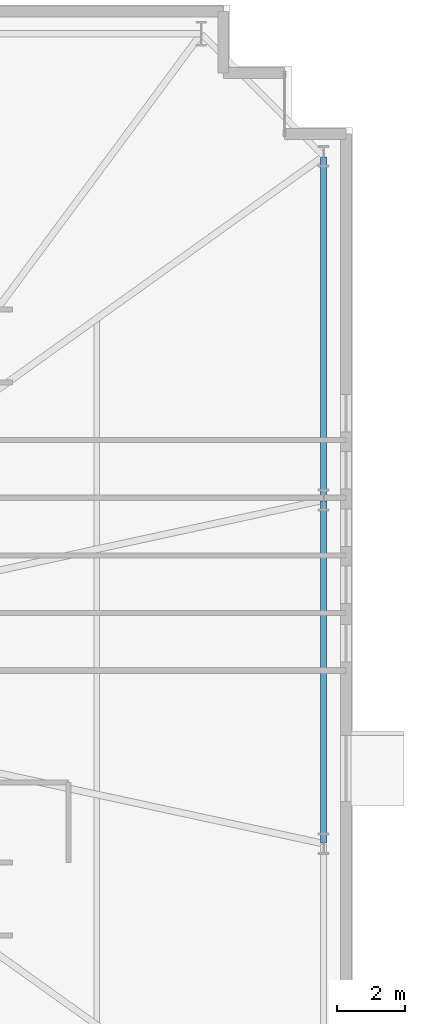
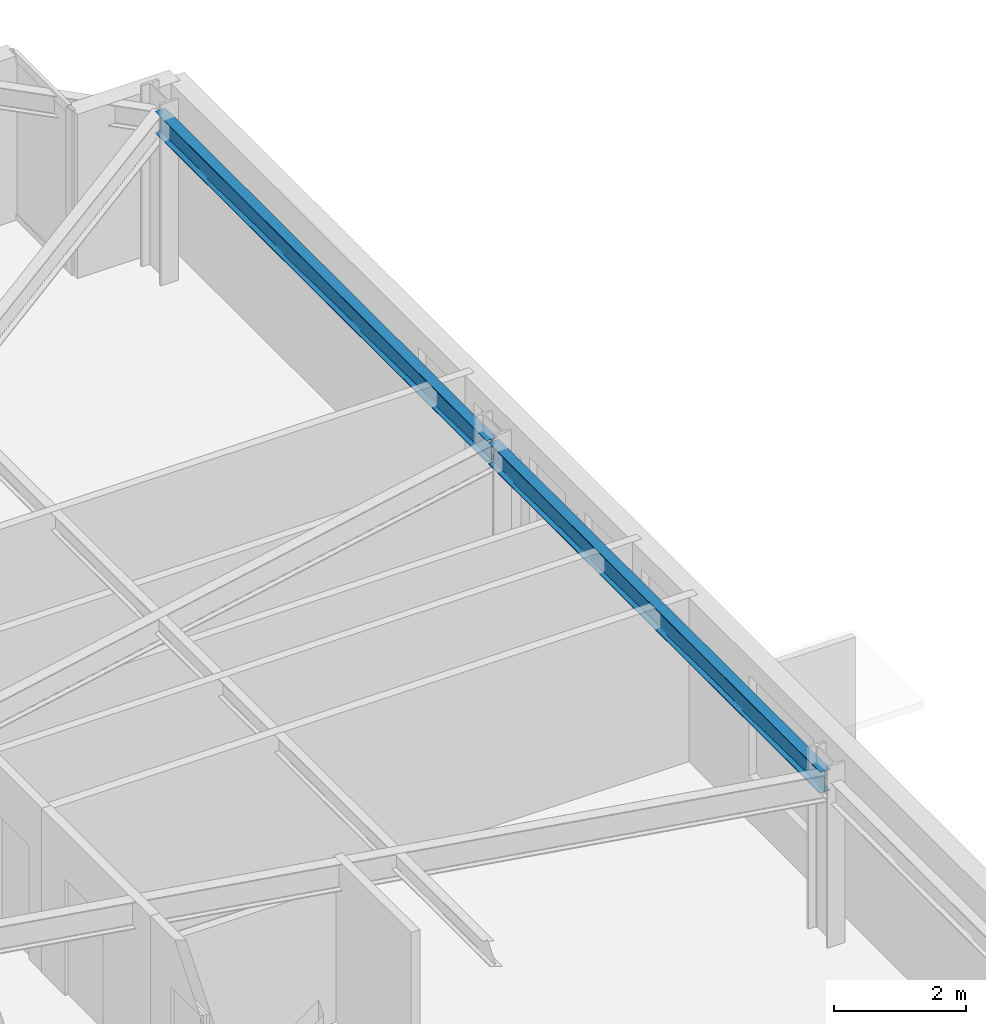
# One storey, part 15 of 24: 2 beams.
"""IFC4 building model written with IfcOpenShell, lengths in metres."""

from ifc_helpers import new_model, si_unit, direction, frame, origin, origin_2d, place, context, subcontext, project, spatial, i_section, extrude, material, material_profile, profile_set, type_object, element, save


model = new_model("IFC4")

# Units and contexts
model_context = context("Model", 3, precision=1e-05, world=origin(), true_north=direction((0.0, 1.0)))
body_context = subcontext(model_context, "Body", "Model", "MODEL_VIEW")
ifc_project = project(units=[si_unit("LENGTHUNIT", "METRE"), si_unit("AREAUNIT", "SQUARE_METRE"), si_unit("VOLUMEUNIT", "CUBIC_METRE"), si_unit("PLANEANGLEUNIT", "RADIAN"), si_unit("MASSUNIT", "GRAM", prefix="KILO")], contexts=[model_context])

# Site, building, storey
site_placement = place(None, origin())
site = spatial("IfcSite", under=ifc_project, at=site_placement, CompositionType="ELEMENT")
building_placement = place(site_placement, origin())
building = spatial("IfcBuilding", under=site, at=building_placement, Name="Qobustan Lattice House", CompositionType="ELEMENT")
storey_placement = place(building_placement, frame((0.0, 0.0, 50.449951171875)))
storey = spatial("IfcBuildingStorey", under=building, at=storey_placement, Name="L13", CompositionType="ELEMENT", Elevation=50.449951171875)

# Beams
ifc_material = material(Name="Steel S355", Category="steel")
ifc_material_profile = material_profile(ifc_material, i_section(OverallWidth=0.179931640625, OverallDepth=0.39990234375, WebThickness=0.008544921875, FlangeThickness=0.013427734375, FilletRadius=0.02099609375, at=origin_2d()), Name="IPE400")
ifc_profile_set = profile_set([ifc_material_profile], Name="Steel S355")
beam_type = type_object("IfcBeamType", Name="BM-SPD-IPE400", PredefinedType="SPANDREL", material=ifc_profile_set)
beam_1_placement = place(storey_placement, frame((32.14990234375, -5.02490234375, 2.8349609375), z_axis=(0.0, 1.0, 0.0), x_axis=(-1.0, 0.0, 0.0)))
element("IfcBeam", 1, at=beam_1_placement, inside=storey, type_object=beam_type, Name="L13 perimeter spandrel E2-E3", PredefinedType="SPANDREL", context=body_context, shape_type="SweptSolid", body=[
    extrude(i_section(OverallWidth=0.179931640625, OverallDepth=0.39990234375, WebThickness=0.008544921875, FlangeThickness=0.013427734375, FilletRadius=0.02099609375, at=origin_2d()), origin(), (0.0, 0.0, 1.0), 10.0498046875),
])
beam_2_placement = place(storey_placement, frame((32.14990234375, 5.074951171875, 2.8349609375), z_axis=(0.0, 1.0, 0.0), x_axis=(-1.0, 0.0, 0.0)))
element("IfcBeam", 2, at=beam_2_placement, inside=storey, type_object=beam_type, Name="L13 perimeter spandrel E3-E4", PredefinedType="SPANDREL", context=body_context, shape_type="SweptSolid", body=[
    extrude(i_section(OverallWidth=0.179931640625, OverallDepth=0.39990234375, WebThickness=0.008544921875, FlangeThickness=0.013427734375, FilletRadius=0.02099609375, at=origin_2d()), origin(), (0.0, 0.0, 1.0), 10.050048828125),
])

save(model, "model.ifc")
